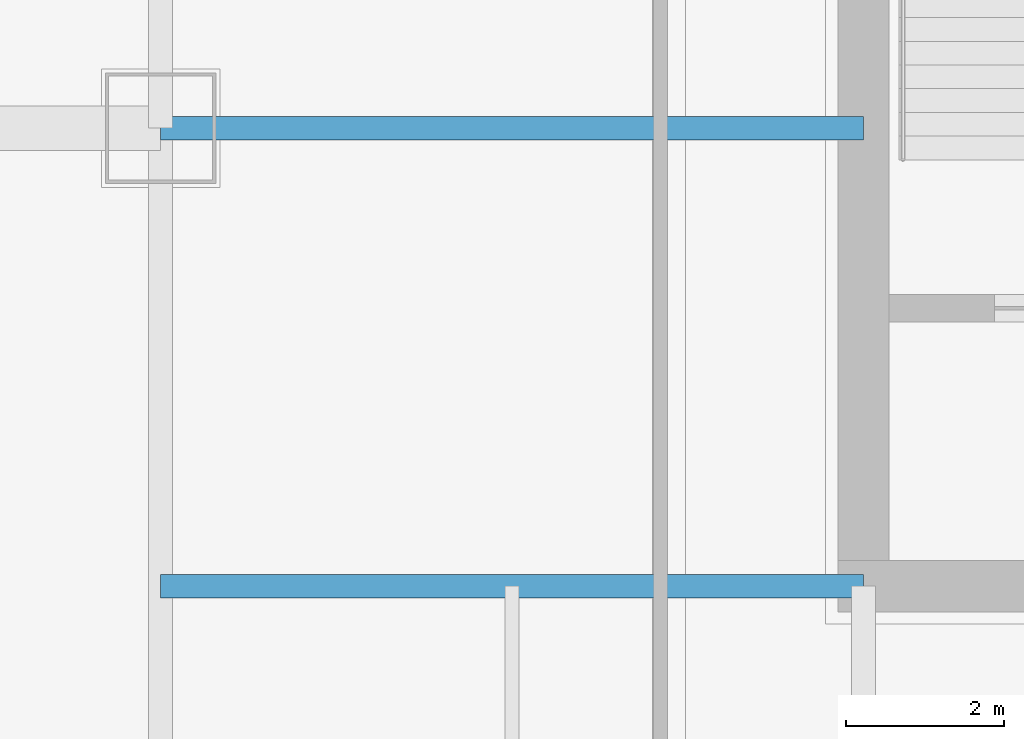
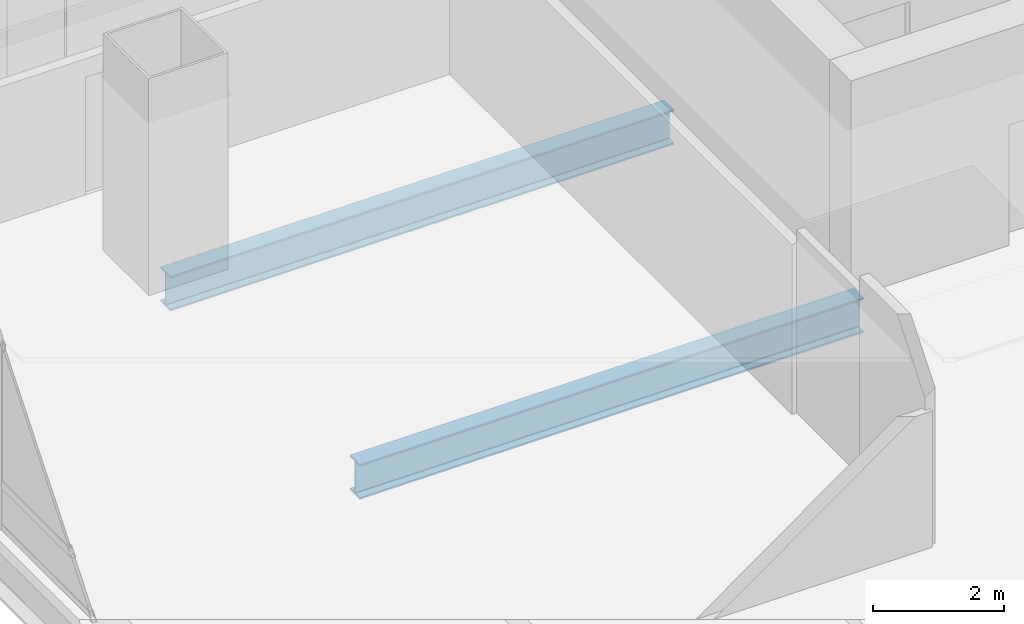
# One storey, part 6 of 38: 2 beams.
"""IFC4 building model written with IfcOpenShell, lengths in metres."""

from ifc_helpers import new_model, si_unit, direction, frame, origin, origin_2d, place, context, subcontext, project, spatial, i_section, extrude, material, material_profile, profile_set, type_object, element, save


model = new_model("IFC4")

# Units and contexts
model_context = context("Model", 3, precision=1e-05, world=origin(), true_north=direction((0.0, 1.0)))
body_context = subcontext(model_context, "Body", "Model", "MODEL_VIEW")
ifc_project = project(units=[si_unit("LENGTHUNIT", "METRE"), si_unit("AREAUNIT", "SQUARE_METRE"), si_unit("VOLUMEUNIT", "CUBIC_METRE"), si_unit("PLANEANGLEUNIT", "RADIAN"), si_unit("MASSUNIT", "GRAM", prefix="KILO")], contexts=[model_context])

# Site, building, storey
site_placement = place(None, origin())
site = spatial("IfcSite", under=ifc_project, at=site_placement, CompositionType="ELEMENT")
building_placement = place(site_placement, origin())
building = spatial("IfcBuilding", under=site, at=building_placement, Name="Punatoya Terracotta Tower", CompositionType="ELEMENT")
storey_placement = place(building_placement, frame((0.0, 0.0, 151.949951171875)))
storey = spatial("IfcBuildingStorey", under=building, at=storey_placement, Name="L35", CompositionType="ELEMENT", Elevation=151.949951171875)

# Beams
ifc_material = material(Name="Steel S355", Category="steel")
ifc_material_profile = material_profile(ifc_material, i_section(OverallWidth=0.300048828125, OverallDepth=0.64990234375, WebThickness=0.01611328125, FlangeThickness=0.031005859375, FilletRadius=0.01806640625, at=origin_2d()))
ifc_profile_set = profile_set([ifc_material_profile], Name="Steel S355")
beam_type = type_object("IfcBeamType", Name="BM-PRI-650", PredefinedType="BEAM", material=ifc_profile_set)
for number, where, z_axis, x_axis, name in (
    (1, (-19.10009765625, -9.199951171875, -0.544921875), (1.0, 0.0, 0.0), (0.0, 1.0, 0.0), "BM-L35-PR-WS"),
    (2, (-19.10009765625, -3.39990234375, -0.544921875), (1.0, 0.0, 0.0), (0.0, 1.0, 0.0), "BM-L35-PR-WD"),
):
    element("IfcBeam", number, at=place(storey_placement, frame(where, z_axis=z_axis, x_axis=x_axis)), inside=storey, type_object=beam_type, Name=name, PredefinedType="BEAM", context=body_context, shape_type="SweptSolid", body=[
        extrude(i_section(OverallWidth=0.300048828125, OverallDepth=0.64990234375, WebThickness=0.01611328125, FlangeThickness=0.031005859375, FilletRadius=0.01806640625, at=origin_2d()), origin(), (0.0, 0.0, 1.0), 8.900146484375),
    ])

save(model, "model.ifc")
